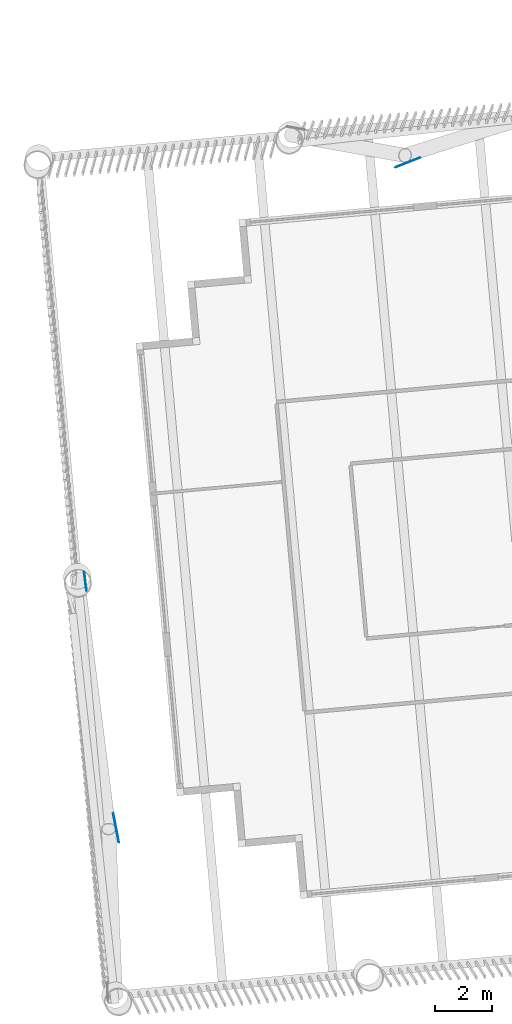
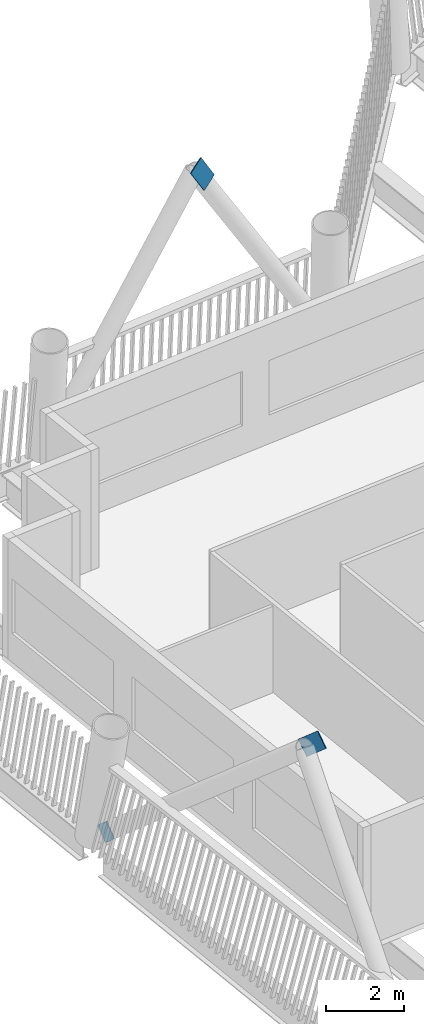
# One storey, part 10 of 23: 3 discrete accessories.
"""IFC4 building model written with IfcOpenShell, lengths in metres."""

from ifc_helpers import new_model, si_unit, direction, frame, origin, origin_2d, place, context, subcontext, project, spatial, rectangle, extrude, material, material_profile, profile_set, type_object, element, save


model = new_model("IFC4")

# Units and contexts
model_context = context("Model", 3, precision=1e-05, world=origin(), true_north=direction((0.0, 1.0)))
body_context = subcontext(model_context, "Body", "Model", "MODEL_VIEW")
ifc_project = project(units=[si_unit("LENGTHUNIT", "METRE"), si_unit("AREAUNIT", "SQUARE_METRE"), si_unit("VOLUMEUNIT", "CUBIC_METRE"), si_unit("PLANEANGLEUNIT", "RADIAN"), si_unit("MASSUNIT", "GRAM", prefix="KILO")], contexts=[model_context])

# Site, building, storey
site_placement = place(None, origin())
site = spatial("IfcSite", under=ifc_project, at=site_placement, CompositionType="ELEMENT")
building_placement = place(site_placement, origin())
building = spatial("IfcBuilding", under=site, at=building_placement, Name="Tarsis Ring Headquarters", CompositionType="ELEMENT")
storey_placement = place(building_placement, frame((0.0, 0.0, 308.0)))
storey = spatial("IfcBuildingStorey", under=building, at=storey_placement, Name="L72", CompositionType="ELEMENT", Elevation=308.0)

# Discrete accessories
ifc_material = material(Name="Structural steel S355", Category="steel")
ifc_material_profile = material_profile(ifc_material, rectangle(XDim=0.02490234375, YDim=0.5, at=origin_2d()), Name="PL 25x500")
ifc_profile_set = profile_set([ifc_material_profile], Name="Structural steel S355")
discrete_accessory_type = type_object("IfcDiscreteAccessoryType", Name="Gusset plate Exo brace 25", PredefinedType="BRACKET", material=ifc_profile_set)
discrete_accessory_1_placement = place(storey_placement, frame((-30.732421875, 10.800537109375, 7.382080078125), z_axis=(-0.511091971075, -0.199259937122, 0.836110324396), x_axis=(0.363240951654, -0.931695235064, 0.0)))
element("IfcDiscreteAccessory", 1, at=discrete_accessory_1_placement, inside=storey, type_object=discrete_accessory_type, Name="Gusset plate GP5", PredefinedType="BRACKET", context=body_context, shape_type="SweptSolid", body=[
    extrude(rectangle(XDim=0.02490234375, YDim=0.5, at=origin_2d()), origin(), (0.0, 0.0, 1.0), 0.999755859375),
])
discrete_accessory_2_placement = place(storey_placement, frame((-42.359375, -3.84619140625, 0.0), z_axis=(0.093281447743, -0.748205120118, 0.656877210547), x_axis=(0.992317685595, 0.123715847225, 0.0)))
element("IfcDiscreteAccessory", 2, at=discrete_accessory_2_placement, inside=storey, type_object=discrete_accessory_type, Name="Gusset plate GP5", PredefinedType="BRACKET", context=body_context, shape_type="SweptSolid", body=[
    extrude(rectangle(XDim=0.02490234375, YDim=0.5, at=origin_2d()), origin(), (0.0, 0.0, 1.0), 0.5),
])
discrete_accessory_3_placement = place(storey_placement, frame((-41.326904296875, -12.34326171875, 7.4716796875), z_axis=(0.142605114823, -0.740618687086, 0.656618413971), x_axis=(0.981962544368, 0.189075544316, 0.0)))
element("IfcDiscreteAccessory", 3, at=discrete_accessory_3_placement, inside=storey, type_object=discrete_accessory_type, Name="Gusset plate GP5", PredefinedType="BRACKET", context=body_context, shape_type="SweptSolid", body=[
    extrude(rectangle(XDim=0.02490234375, YDim=0.5, at=origin_2d()), origin(), (0.0, 0.0, 1.0), 0.999755859375),
])

save(model, "model.ifc")
